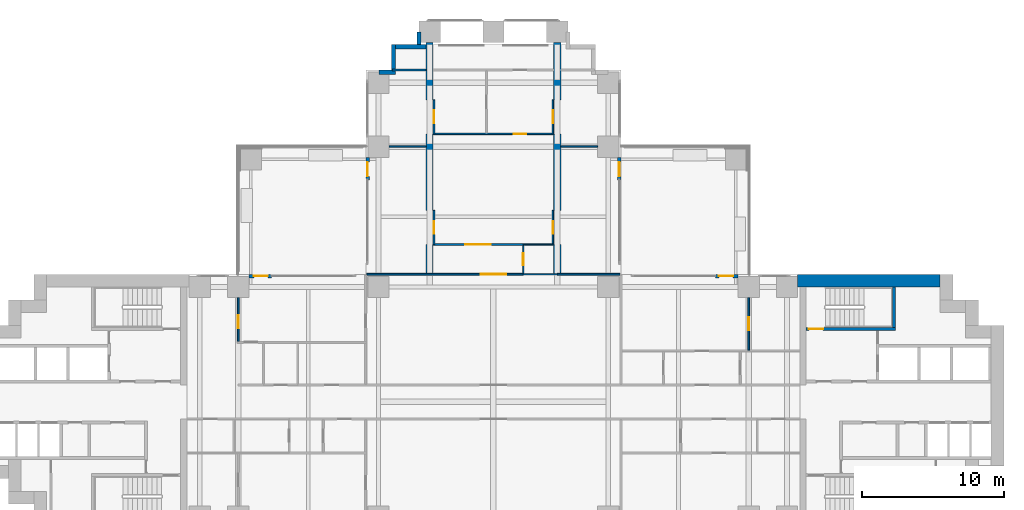
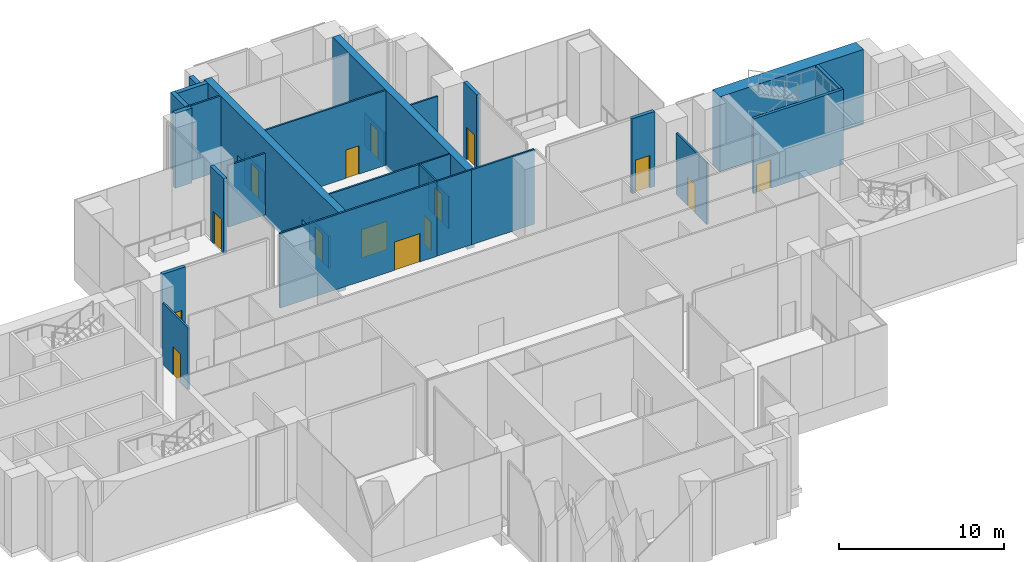
# One storey, part 11 of 17: 29 walls, 15 doors, 15 openings.
"""IFC4 building model written with IfcOpenShell, lengths in metres."""

from ifc_helpers import new_model, si_unit, direction, frame, frame_2d, origin, place, context, subcontext, project, spatial, polyline, rectangle, outline, extrude, material, layer, layer_set, material_profile, profile_set, type_object, element, fill, save


model = new_model("IFC4")

# Units and contexts
model_context = context("Model", 3, precision=1e-05, world=origin(), true_north=direction((0.0, 1.0)))
body_context = subcontext(model_context, "Body", "Model", "MODEL_VIEW")
ifc_project = project(units=[si_unit("LENGTHUNIT", "METRE"), si_unit("AREAUNIT", "SQUARE_METRE"), si_unit("VOLUMEUNIT", "CUBIC_METRE"), si_unit("PLANEANGLEUNIT", "RADIAN"), si_unit("MASSUNIT", "GRAM", prefix="KILO")], contexts=[model_context])

# Site, building, storey
site_placement = place(None, origin())
site = spatial("IfcSite", under=ifc_project, at=site_placement, CompositionType="ELEMENT")
building_placement = place(site_placement, origin())
building = spatial("IfcBuilding", under=site, at=building_placement, Name="Perihelion Cross Residences", CompositionType="ELEMENT")
storey_placement = place(building_placement, frame((0.0, 0.0, 21.0)))
storey = spatial("IfcBuildingStorey", under=building, at=storey_placement, Name="L02", CompositionType="ELEMENT", Elevation=21.0)

# Wall, opening, door
ifc_material_1 = material(Name="Concrete C30/37, bronze-clad", Category="concrete")
ifc_layer_1 = layer(ifc_material_1, 0.25)
ifc_layer_set_1 = layer_set([ifc_layer_1], Name="Bronze-clad pier wall 250")
wall_type_1 = type_object("IfcWallType", Name="Bronze-clad pier wall 250", PredefinedType="SOLIDWALL", material=ifc_layer_set_1)
wall_1_placement = place(storey_placement, frame((17.25, 8.875, 0.0), z_axis=(0.0, 0.0, 1.0), x_axis=(-1.0, 0.0, 0.0)))
wall_1 = element("IfcWall", 1, at=wall_1_placement, inside=storey, type_object=wall_type_1, Name="Wall FW1 L02 east side north bay 2 pier", PredefinedType="SOLIDWALL", context=body_context, shape_type="SweptSolid", body=[
    extrude(rectangle(XDim=1.60009765625, YDim=0.25, at=frame_2d((0.800048828125, 0.0))), origin(), (0.0, 0.0, 1.0), 5.550048828125),
])
opening_1_placement = place(wall_1_placement, frame((0.35009765625, 0.0, 0.0)))
opening_1 = element("IfcOpeningElement", 2, at=opening_1_placement, cuts=wall_1, Name="Opening L02.E01", PredefinedType="OPENING", context=body_context, shape_type="SweptSolid", body=[
    extrude(rectangle(XDim=1.0, YDim=2.39990234375, at=frame_2d((0.5, 1.199951171875))), frame((0.0, 0.135009765625, 0.0), z_axis=(0.0, -1.0, 0.0), x_axis=(1.0, 0.0, 0.0)), (0.0, 0.0, 1.0), 0.27001953125),
])
ifc_material_2 = material(Name="Bronze anodised aluminium, glazed", Category="aluminium")
door_type_1 = type_object("IfcDoorType", Name="Balcony door 1000 x 2400", OperationType="NOTDEFINED", PredefinedType="DOOR", material=ifc_material_2)
door_1_placement = place(opening_1_placement, origin())
door_1 = element("IfcDoor", 3, at=door_1_placement, inside=storey, type_object=door_type_1, Name="Door L02.E01 east side north bay 2", OperationType="SINGLE_SWING_RIGHT", OverallHeight=2.39990234375, OverallWidth=1.0, PredefinedType="DOOR", context=body_context, shape_type="SweptSolid", body=[
    extrude(rectangle(XDim=1.0, YDim=2.39990234375, at=frame_2d((0.5, 1.199951171875))), frame((0.0, 0.02490234375, 0.0), z_axis=(0.0, -1.0, 0.0), x_axis=(1.0, 0.0, 0.0)), (0.0, 0.0, 1.0), 0.050048828125),
])
fill(opening_1, door_1)

wall_2_placement = place(storey_placement, frame((8.875, 15.64990234375, 0.0), z_axis=(0.0, 0.0, 1.0), x_axis=(0.0, 1.0, 0.0)))
wall_2 = element("IfcWall", 4, at=wall_2_placement, inside=storey, type_object=wall_type_1, Name="Wall FW1 L02 north side east bay 1 pier", PredefinedType="SOLIDWALL", context=body_context, shape_type="SweptSolid", body=[
    extrude(rectangle(XDim=1.60009765625, YDim=0.25, at=frame_2d((0.800048828125, 0.0))), origin(), (0.0, 0.0, 1.0), 5.550048828125),
])
opening_2_placement = place(wall_2_placement, frame((0.25, 0.0, 0.0)))
opening_2 = element("IfcOpeningElement", 5, at=opening_2_placement, cuts=wall_2, Name="Opening L02.E02", PredefinedType="OPENING", context=body_context, shape_type="SweptSolid", body=[
    extrude(rectangle(XDim=1.0, YDim=2.39990234375, at=frame_2d((0.5, 1.199951171875))), frame((0.0, 0.135009765625, 0.0), z_axis=(0.0, -1.0, 0.0), x_axis=(1.0, 0.0, 0.0)), (0.0, 0.0, 1.0), 0.27001953125),
])
door_2_placement = place(opening_2_placement, origin())
door_2 = element("IfcDoor", 6, at=door_2_placement, inside=storey, type_object=door_type_1, Name="Door L02.E02 north side east bay 1", OperationType="SINGLE_SWING_LEFT", OverallHeight=2.39990234375, OverallWidth=1.0, PredefinedType="DOOR", context=body_context, shape_type="SweptSolid", body=[
    extrude(rectangle(XDim=1.0, YDim=2.39990234375, at=frame_2d((0.5, 1.199951171875))), frame((0.0, 0.02490234375, 0.0), z_axis=(0.0, -1.0, 0.0), x_axis=(1.0, 0.0, 0.0)), (0.0, 0.0, 1.0), 0.050048828125),
])
fill(opening_2, door_2)

wall_3_placement = place(storey_placement, frame((-8.875, 17.25, 0.0), z_axis=(0.0, 0.0, 1.0), x_axis=(0.0, -1.0, 0.0)))
wall_3 = element("IfcWall", 7, at=wall_3_placement, inside=storey, type_object=wall_type_1, Name="Wall FW1 L02 north side west bay 2 pier", PredefinedType="SOLIDWALL", context=body_context, shape_type="SweptSolid", body=[
    extrude(rectangle(XDim=1.60009765625, YDim=0.25, at=frame_2d((0.800048828125, 0.0))), origin(), (0.0, 0.0, 1.0), 5.550048828125),
])
opening_3_placement = place(wall_3_placement, frame((0.35009765625, 0.0, 0.0)))
opening_3 = element("IfcOpeningElement", 8, at=opening_3_placement, cuts=wall_3, Name="Opening L02.E03", PredefinedType="OPENING", context=body_context, shape_type="SweptSolid", body=[
    extrude(rectangle(XDim=1.0, YDim=2.39990234375, at=frame_2d((0.5, 1.199951171875))), frame((0.0, 0.135009765625, 0.0), z_axis=(0.0, -1.0, 0.0), x_axis=(1.0, 0.0, 0.0)), (0.0, 0.0, 1.0), 0.27001953125),
])
door_3_placement = place(opening_3_placement, origin())
door_3 = element("IfcDoor", 9, at=door_3_placement, inside=storey, type_object=door_type_1, Name="Door L02.E03 north side west bay 2", OperationType="SINGLE_SWING_RIGHT", OverallHeight=2.39990234375, OverallWidth=1.0, PredefinedType="DOOR", context=body_context, shape_type="SweptSolid", body=[
    extrude(rectangle(XDim=1.0, YDim=2.39990234375, at=frame_2d((0.5, 1.199951171875))), frame((0.0, 0.02490234375, 0.0), z_axis=(0.0, -1.0, 0.0), x_axis=(1.0, 0.0, 0.0)), (0.0, 0.0, 1.0), 0.050048828125),
])
fill(opening_3, door_3)

wall_4_placement = place(storey_placement, frame((-15.64990234375, 8.875, 0.0), z_axis=(0.0, 0.0, 1.0), x_axis=(-1.0, 0.0, 0.0)))
wall_4 = element("IfcWall", 10, at=wall_4_placement, inside=storey, type_object=wall_type_1, Name="Wall FW1 L02 west side north bay 1 pier", PredefinedType="SOLIDWALL", context=body_context, shape_type="SweptSolid", body=[
    extrude(rectangle(XDim=1.60009765625, YDim=0.25, at=frame_2d((0.800048828125, 0.0))), origin(), (0.0, 0.0, 1.0), 5.550048828125),
])
opening_4_placement = place(wall_4_placement, frame((0.25, 0.0, 0.0)))
opening_4 = element("IfcOpeningElement", 11, at=opening_4_placement, cuts=wall_4, Name="Opening L02.E04", PredefinedType="OPENING", context=body_context, shape_type="SweptSolid", body=[
    extrude(rectangle(XDim=1.0, YDim=2.39990234375, at=frame_2d((0.5, 1.199951171875))), frame((0.0, 0.135009765625, 0.0), z_axis=(0.0, -1.0, 0.0), x_axis=(1.0, 0.0, 0.0)), (0.0, 0.0, 1.0), 0.27001953125),
])
door_4_placement = place(opening_4_placement, origin())
door_4 = element("IfcDoor", 12, at=door_4_placement, inside=storey, type_object=door_type_1, Name="Door L02.E04 west side north bay 1", OperationType="SINGLE_SWING_LEFT", OverallHeight=2.39990234375, OverallWidth=1.0, PredefinedType="DOOR", context=body_context, shape_type="SweptSolid", body=[
    extrude(rectangle(XDim=1.0, YDim=2.39990234375, at=frame_2d((0.5, 1.199951171875))), frame((0.0, 0.02490234375, 0.0), z_axis=(0.0, -1.0, 0.0), x_axis=(1.0, 0.0, 0.0)), (0.0, 0.0, 1.0), 0.050048828125),
])
fill(opening_4, door_4)

# Walls
ifc_material_3 = material(Name="Concrete C30/37, bronze-clad", Category="concrete")
ifc_layer_2 = layer(ifc_material_3, 0.300048828125)
ifc_layer_set_2 = layer_set([ifc_layer_2], Name="Bronze-clad serration wall 300")
wall_type_2 = type_object("IfcWallType", Name="Bronze-clad serration wall 300", PredefinedType="SOLIDWALL", material=ifc_layer_set_2)
wall_5_placement = place(storey_placement, frame((-5.25, 26.080078125, 0.0), z_axis=(0.0, 0.0, 1.0), x_axis=(0.0, -1.0, 0.0)))
element("IfcWall", 13, at=wall_5_placement, inside=storey, type_object=wall_type_2, Name="Wall SR1 L02 north corner north-west 1", PredefinedType="SOLIDWALL", context=body_context, shape_type="SweptSolid", body=[
    extrude(rectangle(XDim=0.880126953125, YDim=0.300048828125, at=frame_2d((0.43994140625, 0.0))), origin(), (0.0, 0.0, 1.0), 5.550048828125),
])
wall_6_placement = place(storey_placement, frame((-4.75, 25.050048828125, 0.0), z_axis=(0.0, 0.0, 1.0), x_axis=(-1.0, 0.0, 0.0)))
element("IfcWall", 14, at=wall_6_placement, inside=storey, type_object=wall_type_2, Name="Wall SR1 L02 north corner north-west 2", PredefinedType="SOLIDWALL", context=body_context, shape_type="SweptSolid", body=[
    extrude(rectangle(XDim=2.14990234375, YDim=0.300048828125, at=frame_2d((1.074951171875, 0.0))), origin(), (0.0, 0.0, 1.0), 5.550048828125),
])
wall_7_placement = place(storey_placement, frame((-7.050048828125, 25.199951171875, 0.0), z_axis=(0.0, 0.0, 1.0), x_axis=(0.0, -1.0, 0.0)))
element("IfcWall", 15, at=wall_7_placement, inside=storey, type_object=wall_type_2, Name="Wall SR1 L02 north corner north-west 3", PredefinedType="SOLIDWALL", context=body_context, shape_type="SweptSolid", body=[
    extrude(rectangle(XDim=1.800048828125, YDim=0.300048828125, at=frame_2d((0.89990234375, 0.0))), origin(), (0.0, 0.0, 1.0), 5.550048828125),
])
wall_8_placement = place(storey_placement, frame((-6.89990234375, 23.25, 0.0), z_axis=(0.0, 0.0, 1.0), x_axis=(-1.0, 0.0, 0.0)))
element("IfcWall", 16, at=wall_8_placement, inside=storey, type_object=wall_type_2, Name="Wall SR1 L02 north corner north-west 4", PredefinedType="SOLIDWALL", context=body_context, shape_type="SweptSolid", body=[
    extrude(rectangle(XDim=1.18017578125, YDim=0.300048828125, at=frame_2d((0.590087890625, 0.0))), origin(), (0.0, 0.0, 1.0), 5.550048828125),
])
ifc_material_4 = material(Name="Concrete C60/75", Category="concrete")
ifc_layer_3 = layer(ifc_material_4, 0.89990234375)
ifc_layer_set_3 = layer_set([ifc_layer_3], Name="Core wall, outer 900")
wall_type_3 = type_object("IfcWallType", Name="Core wall, outer 900", PredefinedType="SHEAR", material=ifc_layer_set_3)
wall_9_placement = place(storey_placement, frame((21.449951171875, 8.550048828125, 0.0), z_axis=(0.0, 0.0, 1.0), x_axis=(1.0, 0.0, 0.0)))
element("IfcWall", 17, at=wall_9_placement, inside=storey, type_object=wall_type_3, Name="East core core wall, outer", PredefinedType="SHEAR", context=body_context, shape_type="SweptSolid", body=[
    extrude(rectangle(XDim=10.050048828125, YDim=0.89990234375, at=frame_2d((5.02490234375, 0.0))), origin(), (0.0, 0.0, 1.0), 5.550048828125),
])

# Wall, opening, door
ifc_material_5 = material(Name="Plasterboard partition")
ifc_layer_4 = layer(ifc_material_5, 0.1201171875)
ifc_layer_set_4 = layer_set([ifc_layer_4], Name="Infill panel 120")
wall_type_4 = type_object("IfcWallType", Name="Infill panel 120", PredefinedType="PARTITIONING", material=ifc_layer_set_4)
wall_10_placement = place(storey_placement, frame((4.18994140625, 11.10009765625, 0.0), z_axis=(0.0, 0.0, 1.0), x_axis=(0.0, 1.0, 0.0)))
wall_10 = element("IfcWall", 18, at=wall_10_placement, inside=storey, type_object=wall_type_4, Name="Partition L02 WI01", PredefinedType="PARTITIONING", context=body_context, shape_type="SweptSolid", body=[
    extrude(rectangle(XDim=2.39990234375, YDim=0.1201171875, at=frame_2d((1.199951171875, 0.0))), origin(), (0.0, 0.0, 1.0), 2.39990234375),
])
opening_5_placement = place(wall_10_placement, frame((0.75, 0.0, 0.0)))
opening_5 = element("IfcOpeningElement", 19, at=opening_5_placement, cuts=wall_10, Name="Opening L02.A35", PredefinedType="OPENING", context=body_context, shape_type="SweptSolid", body=[
    extrude(rectangle(XDim=0.89990234375, YDim=2.10009765625, at=frame_2d((0.449951171875, 1.050048828125))), frame((0.0, 0.070068359375, 0.0), z_axis=(0.0, -1.0, 0.0), x_axis=(1.0, 0.0, 0.0)), (0.0, 0.0, 1.0), 0.14013671875),
])
ifc_material_6 = material(Name="Timber door leaf", Category="wood")
door_type_2 = type_object("IfcDoorType", Name="Interior room door 900 x 2100", OperationType="SINGLE_SWING_LEFT", PredefinedType="DOOR", material=ifc_material_6)
door_5_placement = place(opening_5_placement, origin())
door_5 = element("IfcDoor", 20, at=door_5_placement, inside=storey, type_object=door_type_2, Name="Door L02.A35", OperationType="SINGLE_SWING_LEFT", OverallHeight=2.10009765625, OverallWidth=0.89990234375, PredefinedType="DOOR", context=body_context, shape_type="SweptSolid", body=[
    extrude(rectangle(XDim=0.89990234375, YDim=2.10009765625, at=frame_2d((0.449951171875, 1.050048828125))), frame((0.0, 0.02490234375, 0.0), z_axis=(0.0, -1.0, 0.0), x_axis=(1.0, 0.0, 0.0)), (0.0, 0.0, 1.0), 0.050048828125),
])
fill(opening_5, door_5)

wall_11_placement = place(storey_placement, frame((4.18994140625, 18.89990234375, 0.0), z_axis=(0.0, 0.0, 1.0), x_axis=(0.0, 1.0, 0.0)))
wall_11 = element("IfcWall", 21, at=wall_11_placement, inside=storey, type_object=wall_type_4, Name="Partition L02 WI02", PredefinedType="PARTITIONING", context=body_context, shape_type="SweptSolid", body=[
    extrude(rectangle(XDim=2.400146484375, YDim=0.1201171875, at=frame_2d((1.2001953125, 0.0))), origin(), (0.0, 0.0, 1.0), 2.39990234375),
])
opening_6_placement = place(wall_11_placement, frame((0.75, 0.0, 0.0)))
opening_6 = element("IfcOpeningElement", 22, at=opening_6_placement, cuts=wall_11, Name="Opening L02.A36", PredefinedType="OPENING", context=body_context, shape_type="SweptSolid", body=[
    extrude(rectangle(XDim=0.89990234375, YDim=2.10009765625, at=frame_2d((0.449951171875, 1.050048828125))), frame((0.0, 0.070068359375, 0.0), z_axis=(0.0, -1.0, 0.0), x_axis=(1.0, 0.0, 0.0)), (0.0, 0.0, 1.0), 0.14013671875),
])
door_6_placement = place(opening_6_placement, origin())
door_6 = element("IfcDoor", 23, at=door_6_placement, inside=storey, type_object=door_type_2, Name="Door L02.A36", OperationType="SINGLE_SWING_RIGHT", OverallHeight=2.10009765625, OverallWidth=0.89990234375, PredefinedType="DOOR", context=body_context, shape_type="SweptSolid", body=[
    extrude(rectangle(XDim=0.89990234375, YDim=2.10009765625, at=frame_2d((0.449951171875, 1.050048828125))), frame((0.0, 0.02490234375, 0.0), z_axis=(0.0, -1.0, 0.0), x_axis=(1.0, 0.0, 0.0)), (0.0, 0.0, 1.0), 0.050048828125),
])
fill(opening_6, door_6)

wall_12_placement = place(storey_placement, frame((-4.18994140625, 11.10009765625, 0.0), z_axis=(0.0, 0.0, 1.0), x_axis=(0.0, 1.0, 0.0)))
wall_12 = element("IfcWall", 24, at=wall_12_placement, inside=storey, type_object=wall_type_4, Name="Partition L02 WI03", PredefinedType="PARTITIONING", context=body_context, shape_type="SweptSolid", body=[
    extrude(rectangle(XDim=2.39990234375, YDim=0.1201171875, at=frame_2d((1.199951171875, 0.0))), origin(), (0.0, 0.0, 1.0), 2.39990234375),
])
opening_7_placement = place(wall_12_placement, frame((0.75, 0.0, 0.0)))
opening_7 = element("IfcOpeningElement", 25, at=opening_7_placement, cuts=wall_12, Name="Opening L02.A37", PredefinedType="OPENING", context=body_context, shape_type="SweptSolid", body=[
    extrude(rectangle(XDim=0.89990234375, YDim=2.10009765625, at=frame_2d((0.449951171875, 1.050048828125))), frame((0.0, 0.070068359375, 0.0), z_axis=(0.0, -1.0, 0.0), x_axis=(1.0, 0.0, 0.0)), (0.0, 0.0, 1.0), 0.14013671875),
])
door_7_placement = place(opening_7_placement, origin())
door_7 = element("IfcDoor", 26, at=door_7_placement, inside=storey, type_object=door_type_2, Name="Door L02.A37", OperationType="SINGLE_SWING_RIGHT", OverallHeight=2.10009765625, OverallWidth=0.89990234375, PredefinedType="DOOR", context=body_context, shape_type="SweptSolid", body=[
    extrude(rectangle(XDim=0.89990234375, YDim=2.10009765625, at=frame_2d((0.449951171875, 1.050048828125))), frame((0.0, 0.02490234375, 0.0), z_axis=(0.0, -1.0, 0.0), x_axis=(1.0, 0.0, 0.0)), (0.0, 0.0, 1.0), 0.050048828125),
])
fill(opening_7, door_7)

wall_13_placement = place(storey_placement, frame((-4.18994140625, 18.89990234375, 0.0), z_axis=(0.0, 0.0, 1.0), x_axis=(0.0, 1.0, 0.0)))
wall_13 = element("IfcWall", 27, at=wall_13_placement, inside=storey, type_object=wall_type_4, Name="Partition L02 WI04", PredefinedType="PARTITIONING", context=body_context, shape_type="SweptSolid", body=[
    extrude(rectangle(XDim=2.400146484375, YDim=0.1201171875, at=frame_2d((1.2001953125, 0.0))), origin(), (0.0, 0.0, 1.0), 2.39990234375),
])
opening_8_placement = place(wall_13_placement, frame((0.75, 0.0, 0.0)))
opening_8 = element("IfcOpeningElement", 28, at=opening_8_placement, cuts=wall_13, Name="Opening L02.A38", PredefinedType="OPENING", context=body_context, shape_type="SweptSolid", body=[
    extrude(rectangle(XDim=0.89990234375, YDim=2.10009765625, at=frame_2d((0.449951171875, 1.050048828125))), frame((0.0, 0.070068359375, 0.0), z_axis=(0.0, -1.0, 0.0), x_axis=(1.0, 0.0, 0.0)), (0.0, 0.0, 1.0), 0.14013671875),
])
door_8_placement = place(opening_8_placement, origin())
door_8 = element("IfcDoor", 29, at=door_8_placement, inside=storey, type_object=door_type_2, Name="Door L02.A38", OperationType="SINGLE_SWING_LEFT", OverallHeight=2.10009765625, OverallWidth=0.89990234375, PredefinedType="DOOR", context=body_context, shape_type="SweptSolid", body=[
    extrude(rectangle(XDim=0.89990234375, YDim=2.10009765625, at=frame_2d((0.449951171875, 1.050048828125))), frame((0.0, 0.02490234375, 0.0), z_axis=(0.0, -1.0, 0.0), x_axis=(1.0, 0.0, 0.0)), (0.0, 0.0, 1.0), 0.050048828125),
])
fill(opening_8, door_8)

ifc_material_7 = material(Name="Plasterboard partition")
ifc_layer_5 = layer(ifc_material_7, 0.1201171875)
ifc_layer_set_5 = layer_set([ifc_layer_5], Name="Partition wall 120")
wall_type_5 = type_object("IfcWallType", Name="Partition wall 120", PredefinedType="PARTITIONING", material=ifc_layer_set_5)
wall_14_placement = place(storey_placement, frame((-8.919921875, 9.0, 0.0), z_axis=(0.0, 0.0, 1.0), x_axis=(1.0, 0.0, 0.0)))
wall_14 = element("IfcWall", 30, at=wall_14_placement, inside=storey, type_object=wall_type_5, Name="Partition L02 W009", PredefinedType="PARTITIONING", context=body_context, shape_type="SweptSolid", body=[
    extrude(rectangle(XDim=11.02001953125, YDim=0.1201171875, at=frame_2d((5.510009765625, 0.0))), origin(), (0.0, 0.0, 1.0), 5.550048828125),
])
opening_9_placement = place(wall_14_placement, frame((8.02001953125, 0.0, 0.0)))
opening_9 = element("IfcOpeningElement", 31, at=opening_9_placement, cuts=wall_14, Name="Opening L02.A23", PredefinedType="OPENING", context=body_context, shape_type="SweptSolid", body=[
    extrude(rectangle(XDim=1.800048828125, YDim=2.10009765625, at=frame_2d((0.89990234375, 1.050048828125))), frame((0.0, 0.070068359375, 0.0), z_axis=(0.0, -1.0, 0.0), x_axis=(1.0, 0.0, 0.0)), (0.0, 0.0, 1.0), 0.14013671875),
])
ifc_material_8 = material(Name="Glazed timber door leaf", Category="wood")
door_type_3 = type_object("IfcDoorType", Name="Interior double leaf door 1800 x 2100", OperationType="DOUBLE_DOOR_SINGLE_SWING", PredefinedType="DOOR", material=ifc_material_8)
door_9_placement = place(opening_9_placement, origin())
door_9 = element("IfcDoor", 32, at=door_9_placement, inside=storey, type_object=door_type_3, Name="Door L02.A23", OperationType="SINGLE_SWING_LEFT", OverallHeight=2.10009765625, OverallWidth=1.800048828125, PredefinedType="DOOR", context=body_context, shape_type="SweptSolid", body=[
    extrude(rectangle(XDim=1.800048828125, YDim=2.10009765625, at=frame_2d((0.89990234375, 1.050048828125))), frame((0.0, 0.02490234375, 0.0), z_axis=(0.0, -1.0, 0.0), x_axis=(1.0, 0.0, 0.0)), (0.0, 0.0, 1.0), 0.050048828125),
])
fill(opening_9, door_9)

# Wall
wall_15_placement = place(storey_placement, frame((4.5, 9.0, 0.0), z_axis=(0.0, 0.0, 1.0), x_axis=(1.0, 0.0, 0.0)))
element("IfcWall", 33, at=wall_15_placement, inside=storey, type_object=wall_type_5, Name="Partition L02 W011", PredefinedType="PARTITIONING", context=body_context, shape_type="SweptSolid", body=[
    extrude(rectangle(XDim=4.419921875, YDim=0.1201171875, at=frame_2d((2.2099609375, 0.0))), origin(), (0.0, 0.0, 1.0), 5.550048828125),
])

# Wall, opening, door
wall_16_placement = place(storey_placement, frame((18.0, 7.35009765625, 0.0), z_axis=(0.0, 0.0, 1.0), x_axis=(0.0, -1.0, 0.0)))
wall_16 = element("IfcWall", 34, at=wall_16_placement, inside=storey, type_object=wall_type_5, Name="Partition L02 W017", PredefinedType="PARTITIONING", context=body_context, shape_type="SweptSolid", body=[
    extrude(rectangle(XDim=3.690185546875, YDim=0.1201171875, at=frame_2d((1.84521484375, 0.0))), origin(), (0.0, 0.0, 1.0), 4.570068359375),
])
opening_10_placement = place(wall_16_placement, frame((1.39501953125, 0.0, 0.0)))
opening_10 = element("IfcOpeningElement", 35, at=opening_10_placement, cuts=wall_16, Name="Opening L02.A17", PredefinedType="OPENING", context=body_context, shape_type="SweptSolid", body=[
    extrude(rectangle(XDim=0.89990234375, YDim=2.10009765625, at=frame_2d((0.449951171875, 1.050048828125))), frame((0.0, 0.070068359375, 0.0), z_axis=(0.0, -1.0, 0.0), x_axis=(1.0, 0.0, 0.0)), (0.0, 0.0, 1.0), 0.14013671875),
])
door_10_placement = place(opening_10_placement, origin())
door_10 = element("IfcDoor", 36, at=door_10_placement, inside=storey, type_object=door_type_2, Name="Door L02.A17", OperationType="SINGLE_SWING_LEFT", OverallHeight=2.10009765625, OverallWidth=0.89990234375, PredefinedType="DOOR", context=body_context, shape_type="SweptSolid", body=[
    extrude(rectangle(XDim=0.89990234375, YDim=2.10009765625, at=frame_2d((0.449951171875, 1.050048828125))), frame((0.0, 0.02490234375, 0.0), z_axis=(0.0, -1.0, 0.0), x_axis=(1.0, 0.0, 0.0)), (0.0, 0.0, 1.0), 0.050048828125),
])
fill(opening_10, door_10)

wall_17_placement = place(storey_placement, frame((-18.0, 4.260009765625, 0.0), z_axis=(0.0, 0.0, 1.0), x_axis=(0.0, 1.0, 0.0)))
wall_17 = element("IfcWall", 37, at=wall_17_placement, inside=storey, type_object=wall_type_5, Name="Partition L02 W025", PredefinedType="PARTITIONING", context=body_context, shape_type="SweptSolid", body=[
    extrude(rectangle(XDim=3.090087890625, YDim=0.1201171875, at=frame_2d((1.544921875, 0.0))), origin(), (0.0, 0.0, 1.0), 4.570068359375),
])
opening_11_placement = place(wall_17_placement, frame((0.945068359375, 0.0, 0.0)))
opening_11 = element("IfcOpeningElement", 38, at=opening_11_placement, cuts=wall_17, Name="Opening L02.A13", PredefinedType="OPENING", context=body_context, shape_type="SweptSolid", body=[
    extrude(rectangle(XDim=0.89990234375, YDim=2.10009765625, at=frame_2d((0.449951171875, 1.050048828125))), frame((0.0, 0.070068359375, 0.0), z_axis=(0.0, -1.0, 0.0), x_axis=(1.0, 0.0, 0.0)), (0.0, 0.0, 1.0), 0.14013671875),
])
door_11_placement = place(opening_11_placement, origin())
door_11 = element("IfcDoor", 39, at=door_11_placement, inside=storey, type_object=door_type_2, Name="Door L02.A13", OperationType="SINGLE_SWING_RIGHT", OverallHeight=2.10009765625, OverallWidth=0.89990234375, PredefinedType="DOOR", context=body_context, shape_type="SweptSolid", body=[
    extrude(rectangle(XDim=0.89990234375, YDim=2.10009765625, at=frame_2d((0.449951171875, 1.050048828125))), frame((0.0, 0.02490234375, 0.0), z_axis=(0.0, -1.0, 0.0), x_axis=(1.0, 0.0, 0.0)), (0.0, 0.0, 1.0), 0.050048828125),
])
fill(opening_11, door_11)

wall_18_placement = place(storey_placement, frame((-4.25, 11.10009765625, 0.0), z_axis=(0.0, 0.0, 1.0), x_axis=(1.0, 0.0, 0.0)))
wall_18 = element("IfcWall", 40, at=wall_18_placement, inside=storey, type_object=wall_type_5, Name="Partition L02 W038", PredefinedType="PARTITIONING", context=body_context, shape_type="SweptSolid", body=[
    extrude(rectangle(XDim=6.35009765625, YDim=0.1201171875, at=frame_2d((3.175048828125, 0.0))), origin(), (0.0, 0.0, 1.0), 5.550048828125),
])
opening_12_placement = place(wall_18_placement, frame((2.27490234375, 0.0, 0.0)))
opening_12 = element("IfcOpeningElement", 41, at=opening_12_placement, cuts=wall_18, Name="Opening L02.A25", PredefinedType="OPENING", context=body_context, shape_type="SweptSolid", body=[
    extrude(rectangle(XDim=1.800048828125, YDim=2.10009765625, at=frame_2d((0.89990234375, 1.050048828125))), frame((0.0, 0.070068359375, 0.0), z_axis=(0.0, -1.0, 0.0), x_axis=(1.0, 0.0, 0.0)), (0.0, 0.0, 1.0), 0.14013671875),
])
door_12_placement = place(opening_12_placement, origin())
door_12 = element("IfcDoor", 42, at=door_12_placement, inside=storey, type_object=door_type_3, Name="Door L02.A25", OperationType="SINGLE_SWING_LEFT", OverallHeight=2.10009765625, OverallWidth=1.800048828125, PredefinedType="DOOR", context=body_context, shape_type="SweptSolid", body=[
    extrude(rectangle(XDim=1.800048828125, YDim=2.10009765625, at=frame_2d((0.89990234375, 1.050048828125))), frame((0.0, 0.02490234375, 0.0), z_axis=(0.0, -1.0, 0.0), x_axis=(1.0, 0.0, 0.0)), (0.0, 0.0, 1.0), 0.050048828125),
])
fill(opening_12, door_12)

wall_19_placement = place(storey_placement, frame((-4.25, 18.89990234375, 0.0), z_axis=(0.0, 0.0, 1.0), x_axis=(1.0, 0.0, 0.0)))
wall_19 = element("IfcWall", 43, at=wall_19_placement, inside=storey, type_object=wall_type_5, Name="Partition L02 W040", PredefinedType="PARTITIONING", context=body_context, shape_type="SweptSolid", body=[
    extrude(rectangle(XDim=8.5, YDim=0.1201171875, at=frame_2d((4.25, 0.0))), origin(), (0.0, 0.0, 1.0), 5.550048828125),
])
opening_13_placement = place(wall_19_placement, frame((5.675048828125, 0.0, 0.0)))
opening_13 = element("IfcOpeningElement", 44, at=opening_13_placement, cuts=wall_19, Name="Opening L02.A26", PredefinedType="OPENING", context=body_context, shape_type="SweptSolid", body=[
    extrude(rectangle(XDim=0.89990234375, YDim=2.10009765625, at=frame_2d((0.449951171875, 1.050048828125))), frame((0.0, 0.070068359375, 0.0), z_axis=(0.0, -1.0, 0.0), x_axis=(1.0, 0.0, 0.0)), (0.0, 0.0, 1.0), 0.14013671875),
])
door_13_placement = place(opening_13_placement, origin())
door_13 = element("IfcDoor", 45, at=door_13_placement, inside=storey, type_object=door_type_2, Name="Door L02.A26", OperationType="SINGLE_SWING_LEFT", OverallHeight=2.10009765625, OverallWidth=0.89990234375, PredefinedType="DOOR", context=body_context, shape_type="SweptSolid", body=[
    extrude(rectangle(XDim=0.89990234375, YDim=2.10009765625, at=frame_2d((0.449951171875, 1.050048828125))), frame((0.0, 0.02490234375, 0.0), z_axis=(0.0, -1.0, 0.0), x_axis=(1.0, 0.0, 0.0)), (0.0, 0.0, 1.0), 0.050048828125),
])
fill(opening_13, door_13)

# Walls
for number, where, z_axis, x_axis, name in (
    (46, (4.75, 18.0, 0.0), (0.0, 0.0, 1.0), (1.0, 0.0, 0.0), "Partition L02 W043"),
    (47, (-7.35009765625, 18.0, 0.0), (0.0, 0.0, 1.0), (1.0, 0.0, 0.0), "Partition L02 W045"),
):
    element("IfcWall", number, at=place(storey_placement, frame(where, z_axis=z_axis, x_axis=x_axis)), inside=storey, type_object=wall_type_5, Name=name, PredefinedType="PARTITIONING", context=body_context, shape_type="SweptSolid", body=[
        extrude(rectangle(XDim=2.60009765625, YDim=0.1201171875, at=frame_2d((1.300048828125, 0.0))), origin(), (0.0, 0.0, 1.0), 4.570068359375),
    ])
wall_20_placement = place(storey_placement, frame((-7.1201171875, 23.39990234375, 0.0), z_axis=(0.0, 0.0, 1.0), x_axis=(1.0, 0.0, 0.0)))
element("IfcWall", 48, at=wall_20_placement, inside=storey, type_object=wall_type_5, Name="Partition L02 W046", PredefinedType="PARTITIONING", context=body_context, shape_type="SweptSolid", body=[
    extrude(rectangle(XDim=2.3701171875, YDim=0.1201171875, at=frame_2d((1.18505859375, 0.0))), origin(), (0.0, 0.0, 1.0), 5.550048828125),
])

# Wall, opening, door
ifc_material_9 = material(Name="Concrete C50/60", Category="concrete")
ifc_layer_6 = layer(ifc_material_9, 0.199951171875)
ifc_layer_set_6 = layer_set([ifc_layer_6], Name="Stair wall 200")
wall_type_6 = type_object("IfcWallType", Name="Stair wall 200", PredefinedType="SOLIDWALL", material=ifc_layer_set_6)
wall_21_placement = place(storey_placement, frame((22.050048828125, 5.14990234375, 0.0), z_axis=(0.0, 0.0, 1.0), x_axis=(1.0, 0.0, 0.0)))
wall_21 = element("IfcWall", 49, at=wall_21_placement, inside=storey, type_object=wall_type_6, Name="East core stair wall", PredefinedType="SOLIDWALL", context=body_context, shape_type="SweptSolid", body=[
    extrude(rectangle(XDim=6.300048828125, YDim=0.199951171875, at=frame_2d((3.14990234375, 0.0))), origin(), (0.0, 0.0, 1.0), 5.550048828125),
])
opening_14_placement = place(wall_21_placement, frame((0.199951171875, 0.0, 0.0)))
opening_14 = element("IfcOpeningElement", 50, at=opening_14_placement, cuts=wall_21, Name="Opening L02.C06", PredefinedType="OPENING", context=body_context, shape_type="SweptSolid", body=[
    extrude(rectangle(XDim=1.0, YDim=2.10009765625, at=frame_2d((0.5, 1.050048828125))), frame((0.0, 0.10986328125, 0.0), z_axis=(0.0, -1.0, 0.0), x_axis=(1.0, 0.0, 0.0)), (0.0, 0.0, 1.0), 0.219970703125),
])
ifc_material_10 = material(Name="Steel, powder coated", Category="steel")
door_type_4 = type_object("IfcDoorType", Name="Stair door 1000", OperationType="SINGLE_SWING_LEFT", PredefinedType="DOOR", material=ifc_material_10)
door_14_placement = place(opening_14_placement, origin())
door_14 = element("IfcDoor", 51, at=door_14_placement, inside=storey, type_object=door_type_4, Name="East core stair door", OperationType="SINGLE_SWING_LEFT", OverallHeight=2.10009765625, OverallWidth=1.0, PredefinedType="DOOR", context=body_context, shape_type="SweptSolid", body=[
    extrude(rectangle(XDim=1.0, YDim=2.10009765625, at=frame_2d((0.5, 1.050048828125))), frame((0.0, 0.02490234375, 0.0), z_axis=(0.0, -1.0, 0.0), x_axis=(1.0, 0.0, 0.0)), (0.0, 0.0, 1.0), 0.050048828125),
])
fill(opening_14, door_14)

# Walls
wall_22_placement = place(storey_placement, frame((28.25, 5.25, 0.0), z_axis=(0.0, 0.0, 1.0), x_axis=(0.0, 1.0, 0.0)))
element("IfcWall", 52, at=wall_22_placement, inside=storey, type_object=wall_type_6, Name="East core stair wall", PredefinedType="SOLIDWALL", context=body_context, shape_type="SweptSolid", body=[
    extrude(rectangle(XDim=2.85009765625, YDim=0.199951171875, at=frame_2d((1.425048828125, 0.0))), origin(), (0.0, 0.0, 1.0), 5.550048828125),
])
ifc_material_11 = material(Name="Concrete C60/75", Category="concrete")
ifc_material_profile = material_profile(ifc_material_11, outline(polyline([(0.0, 0.0), (2.10009765625, 0.0), (2.10009765625, 2.699951171875), (4.5, 2.699951171875), (4.5, 0.0), (9.89990234375, 0.0), (9.89990234375, 2.699951171875), (12.300048828125, 2.699951171875), (12.300048828125, 0.0), (16.35009765625, 0.0), (16.35009765625, 5.85009765625), (0.0, 5.85009765625), (0.0, 0.0)])), Name="Tip spine wall")
ifc_profile_set = profile_set([ifc_material_profile], Name="Concrete C60/75")
wall_type_7 = type_object("IfcWallType", Name="Tip spine wall 500 with 2 door openings 16350 long 5850 high concrete C60/75 hand B", PredefinedType="SHEAR", material=ifc_profile_set)
for number, where, z_axis, x_axis, name in (
    (53, (-4.75, 9.0, -0.300048828125), (1.0, 0.0, 0.0), (0.0, 1.0, 0.0), "Shear wall SW14 L02 north west"),
    (54, (4.25, 9.0, -0.300048828125), (1.0, 0.0, 0.0), (0.0, 1.0, 0.0), "Shear wall SW14 L02 north east"),
):
    element("IfcWall", number, at=place(storey_placement, frame(where, z_axis=z_axis, x_axis=x_axis)), inside=storey, type_object=wall_type_7, Name=name, PredefinedType="SHEAR", context=body_context, shape_type="SweptSolid", body=[
        extrude(outline(polyline([(0.0, 0.0), (2.10009765625, 0.0), (2.10009765625, 2.699951171875), (4.5, 2.699951171875), (4.5, 0.0), (9.89990234375, 0.0), (9.89990234375, 2.699951171875), (12.300048828125, 2.699951171875), (12.300048828125, 0.0), (16.35009765625, 0.0), (16.35009765625, 5.85009765625), (0.0, 5.85009765625), (0.0, 0.0)])), origin(), (0.0, 0.0, 1.0), 0.5),
    ])
ifc_material_12 = material(Name="Plasterboard partition")
ifc_layer_7 = layer(ifc_material_12, 0.10009765625)
ifc_layer_set_7 = layer_set([ifc_layer_7], Name="Wet room wall 100")
wall_type_8 = type_object("IfcWallType", Name="Wet room wall 100", PredefinedType="PARTITIONING", material=ifc_layer_set_7)
wall_23_placement = place(storey_placement, frame((2.10009765625, 9.0, 0.0), z_axis=(0.0, 0.0, 1.0), x_axis=(1.0, 0.0, 0.0)))
element("IfcWall", 55, at=wall_23_placement, inside=storey, type_object=wall_type_8, Name="Partition L02 W010", PredefinedType="PARTITIONING", context=body_context, shape_type="SweptSolid", body=[
    extrude(rectangle(XDim=2.39990234375, YDim=0.10009765625, at=frame_2d((1.199951171875, 0.0))), origin(), (0.0, 0.0, 1.0), 5.550048828125),
])

# Wall, opening, door
wall_24_placement = place(storey_placement, frame((2.10009765625, 11.0400390625, 0.0), z_axis=(0.0, 0.0, 1.0), x_axis=(0.0, -1.0, 0.0)))
wall_24 = element("IfcWall", 56, at=wall_24_placement, inside=storey, type_object=wall_type_8, Name="Partition L02 W037", PredefinedType="PARTITIONING", context=body_context, shape_type="SweptSolid", body=[
    extrude(rectangle(XDim=1.97998046875, YDim=0.10009765625, at=frame_2d((0.989990234375, 0.0))), origin(), (0.0, 0.0, 1.0), 5.550048828125),
])
opening_15_placement = place(wall_24_placement, frame((0.56494140625, 0.0, 0.0)))
opening_15 = element("IfcOpeningElement", 57, at=opening_15_placement, cuts=wall_24, Name="Opening L02.A24", PredefinedType="OPENING", context=body_context, shape_type="SweptSolid", body=[
    extrude(rectangle(XDim=0.85009765625, YDim=2.10009765625, at=frame_2d((0.425048828125, 1.050048828125))), frame((0.0, 0.06005859375, 0.0), z_axis=(0.0, -1.0, 0.0), x_axis=(1.0, 0.0, 0.0)), (0.0, 0.0, 1.0), 0.1201171875),
])
ifc_material_13 = material(Name="Timber door leaf", Category="wood")
door_type_5 = type_object("IfcDoorType", Name="Interior bathroom door 850 x 2100", OperationType="SINGLE_SWING_LEFT", PredefinedType="DOOR", material=ifc_material_13)
door_15_placement = place(opening_15_placement, origin())
door_15 = element("IfcDoor", 58, at=door_15_placement, inside=storey, type_object=door_type_5, Name="Door L02.A24", OperationType="SINGLE_SWING_RIGHT", OverallHeight=2.10009765625, OverallWidth=0.85009765625, PredefinedType="DOOR", context=body_context, shape_type="SweptSolid", body=[
    extrude(rectangle(XDim=0.85009765625, YDim=2.10009765625, at=frame_2d((0.425048828125, 1.050048828125))), frame((0.0, 0.02490234375, 0.0), z_axis=(0.0, -1.0, 0.0), x_axis=(1.0, 0.0, 0.0)), (0.0, 0.0, 1.0), 0.050048828125),
])
fill(opening_15, door_15)

# Wall
wall_25_placement = place(storey_placement, frame((2.10009765625, 11.10009765625, 0.0), z_axis=(0.0, 0.0, 1.0), x_axis=(1.0, 0.0, 0.0)))
element("IfcWall", 59, at=wall_25_placement, inside=storey, type_object=wall_type_8, Name="Partition L02 W039", PredefinedType="PARTITIONING", context=body_context, shape_type="SweptSolid", body=[
    extrude(rectangle(XDim=2.14990234375, YDim=0.10009765625, at=frame_2d((1.074951171875, 0.0))), origin(), (0.0, 0.0, 1.0), 5.550048828125),
])

save(model, "model.ifc")
